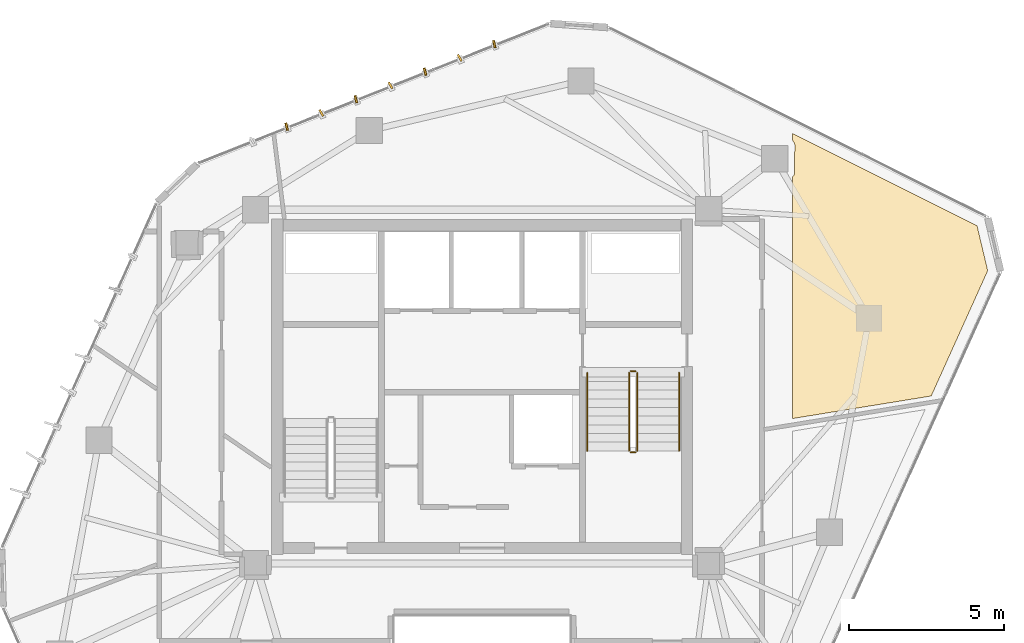
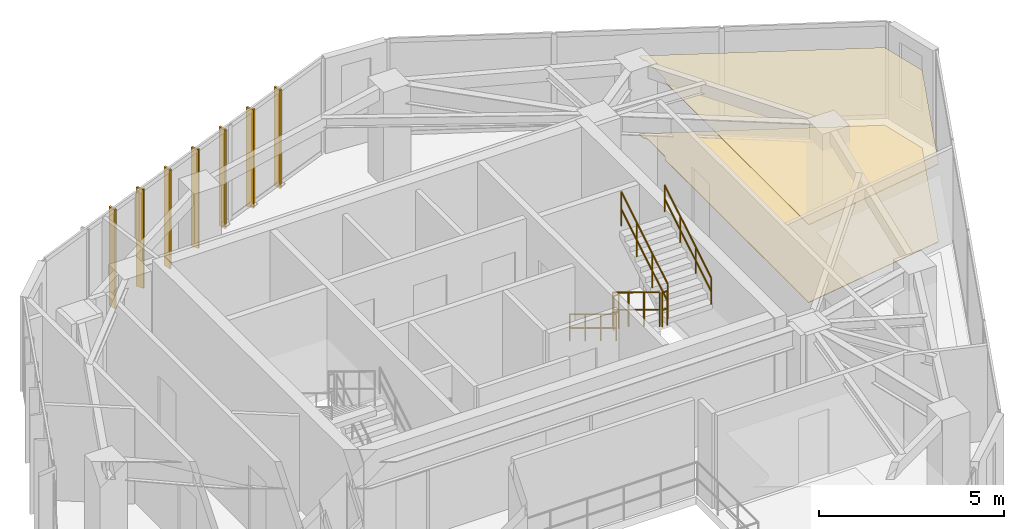
# One storey, part 20 of 20: 7 shading devices, 6 railings, 2 coverings.
"""IFC4 building model written with IfcOpenShell, lengths in metres."""

import ifcopenshell
import ifcopenshell.guid

model = None  # the IFC model being written
_history = None  # IfcOwnerHistory: only IFC2X3 demands one
_inside = {}  # id of a spatial element -> (the spatial element, [elements in it])
_under = {}  # id of a project, library or spatial element -> (it, [spatial elements below it])
_declared = {}  # id of a project -> (the project, [libraries it declares])
_typed = {}  # id of a type object -> (the type object, [elements of that type])
_made_of = {}  # id of a material, layer set ... -> (it, [elements and type objects made of it])


def new_model(schema):
    """Start an empty IFC model of exactly this schema.

    Asked for "IFC4X3", IfcOpenShell would pick the latest addendum, in which some entities
    have other attributes; the version numbers below select the first issue.
    IFC2X3 requires an IfcOwnerHistory on every rooted entity: one is made here for all.
    """
    global model, _history
    if schema == "IFC4X3":
        model = ifcopenshell.file(schema_version=(4, 3, 0, 0))
    else:
        model = ifcopenshell.file(schema=schema)
    _inside.clear()
    _under.clear()
    _declared.clear()
    _typed.clear()
    _made_of.clear()
    _history = None
    if model.schema == "IFC2X3":
        org = make("IfcOrganization", Name="unknown")
        user = make(
            "IfcPersonAndOrganization",
            ThePerson=make("IfcPerson", FamilyName="unknown"),
            TheOrganization=org,
        )
        app = make(
            "IfcApplication",
            ApplicationDeveloper=org,
            Version="unknown",
            ApplicationFullName="unknown",
            ApplicationIdentifier="unknown",
        )
        _history = make(
            "IfcOwnerHistory",
            OwningUser=user,
            OwningApplication=app,
            ChangeAction="ADDED",
            CreationDate=0,
        )
    return model


def make(cls, **values):
    """One entity of the class cls with the attributes given. An attribute that is None is left unset."""
    return model.create_entity(
        cls, **{name: value for name, value in values.items() if value is not None}
    )


def rooted(cls, **values):
    """An entity with a GlobalId (a new one), such as an element, a storey or a relation."""
    return make(cls, GlobalId=ifcopenshell.guid.new(), OwnerHistory=_history, **values)


def si_unit(unit_type, name, prefix=None):
    """IfcSIUnit, for example si_unit("LENGTHUNIT", "METRE", prefix="MILLI")."""
    return make("IfcSIUnit", UnitType=unit_type, Prefix=prefix, Name=name)


def assignment(units):
    """IfcUnitAssignment: the units of a project."""
    return None if units is None else make("IfcUnitAssignment", Units=units)


def point(xyz):
    """IfcCartesianPoint."""
    return None if xyz is None else make("IfcCartesianPoint", Coordinates=xyz)


def direction(xyz):
    """IfcDirection."""
    return None if xyz is None else make("IfcDirection", DirectionRatios=xyz)


def frame(location, z_axis=None, x_axis=None):
    """IfcAxis2Placement3D, a coordinate frame: its origin and axes. An axis left out is left unset."""
    return make(
        "IfcAxis2Placement3D",
        Location=point(location),
        Axis=direction(z_axis),
        RefDirection=direction(x_axis),
    )


def frame_2d(location, x_axis=None):
    """IfcAxis2Placement2D, a coordinate frame in the plane: its origin and x axis."""
    return make(
        "IfcAxis2Placement2D", Location=point(location), RefDirection=direction(x_axis)
    )


def origin():
    """The frame at (0, 0, 0) with its axes left unset."""
    return frame((0.0, 0.0, 0.0))


def origin_2d():
    """The frame at (0, 0) in the plane with its x axis left unset."""
    return frame_2d((0.0, 0.0))


def place(relative_to, where):
    """IfcLocalPlacement: puts the frame where relative to a parent placement (None: the world)."""
    return make(
        "IfcLocalPlacement", PlacementRelTo=relative_to, RelativePlacement=where
    )


def context(
    kind, dimensions, precision=None, world=None, true_north=None, identifier=None
):
    """IfcGeometricRepresentationContext, for example the 3D "Model" context."""
    return make(
        "IfcGeometricRepresentationContext",
        ContextIdentifier=identifier,
        ContextType=kind,
        CoordinateSpaceDimension=dimensions,
        Precision=precision,
        WorldCoordinateSystem=world,
        TrueNorth=true_north,
    )


def subcontext(parent, identifier, kind, view, scale=None):
    """IfcGeometricRepresentationSubContext, for example "Body" below "Model"."""
    return make(
        "IfcGeometricRepresentationSubContext",
        ContextIdentifier=identifier,
        ContextType=kind,
        ParentContext=parent,
        TargetScale=scale,
        TargetView=view,
    )


def project(units=None, contexts=None):
    """IfcProject with its units and contexts."""
    return rooted(
        "IfcProject",
        Name="project",
        RepresentationContexts=contexts,
        UnitsInContext=assignment(units),
    )


def spatial(cls, under=None, at=None, **own):
    """A site, building, storey or space (cls), placed at a placement, below another one or the project."""
    s = rooted(cls, ObjectPlacement=at, **own)
    if under is not None:
        _under.setdefault(under.id(), (under, []))[1].append(s)
    return s


def polyline(points):
    """IfcPolyline through the points."""
    return make("IfcPolyline", Points=[point(p) for p in points])


def profile(cls, at=None, kind="AREA", **sizes):
    """A parametric profile (cls). Its sizes go by their IFC names, for example OverallWidth=200.0."""
    return make(cls, ProfileType=kind, Position=at, **sizes)


def rectangle(**sizes):
    """IfcRectangleProfileDef."""
    return profile("IfcRectangleProfileDef", **sizes)


def circle(**sizes):
    """IfcCircleProfileDef."""
    return profile("IfcCircleProfileDef", **sizes)


def outline(outer, holes=None, kind="AREA"):
    """IfcArbitraryClosedProfileDef: a profile drawn as a closed curve; with holes, ...WithVoids."""
    if holes is None:
        return make("IfcArbitraryClosedProfileDef", ProfileType=kind, OuterCurve=outer)
    return make(
        "IfcArbitraryProfileDefWithVoids",
        ProfileType=kind,
        OuterCurve=outer,
        InnerCurves=holes,
    )


def extrude(swept, where, along, depth):
    """IfcExtrudedAreaSolid: the profile swept, set in the frame where, extruded along a direction by depth."""
    return make(
        "IfcExtrudedAreaSolid",
        SweptArea=swept,
        Position=where,
        ExtrudedDirection=direction(along),
        Depth=depth,
    )


def shape(context_of_items, identifier, shape_type, items):
    """IfcShapeRepresentation: the items that make up one representation, for example the "Body"."""
    return make(
        "IfcShapeRepresentation",
        ContextOfItems=context_of_items,
        RepresentationIdentifier=identifier,
        RepresentationType=shape_type,
        Items=items,
    )


def source(mapping_origin, context_of_items, identifier, shape_type, items):
    """IfcRepresentationMap: a shape defined once, which mapped items show again and again."""
    return make(
        "IfcRepresentationMap",
        MappingOrigin=mapping_origin,
        MappedRepresentation=shape(context_of_items, identifier, shape_type, items),
    )


def transform(
    local_origin,
    x_axis=None,
    y_axis=None,
    z_axis=None,
    scale=None,
    scale2=None,
    scale3=None,
    uniform=True,
):
    """IfcCartesianTransformationOperator3D, or its non-uniform kind. x_axis, y_axis, z_axis: its Axis1, 2, 3."""
    if uniform:
        return make(
            "IfcCartesianTransformationOperator3D",
            Axis1=direction(x_axis),
            Axis2=direction(y_axis),
            LocalOrigin=point(local_origin),
            Scale=scale,
            Axis3=direction(z_axis),
        )
    return make(
        "IfcCartesianTransformationOperator3DnonUniform",
        Axis1=direction(x_axis),
        Axis2=direction(y_axis),
        LocalOrigin=point(local_origin),
        Scale=scale,
        Axis3=direction(z_axis),
        Scale2=scale2,
        Scale3=scale3,
    )


def mapped(mapping_source, mapping_target):
    """IfcMappedItem: shows the shape of a source again, moved by a transform."""
    return make(
        "IfcMappedItem", MappingSource=mapping_source, MappingTarget=mapping_target
    )


def material(Name=None, Category=None):
    """IfcMaterial."""
    return make("IfcMaterial", Name=Name, Category=Category)


def layer(
    of_material, thickness, ventilated=None, Name=None, Category=None, Priority=None
):
    """IfcMaterialLayer: one layer of a wall or slab, of a material (None: an air gap)."""
    return make(
        "IfcMaterialLayer",
        Material=of_material,
        LayerThickness=thickness,
        IsVentilated=ventilated,
        Name=Name,
        Category=Category,
        Priority=Priority,
    )


def layer_set(layers, Name=None):
    """IfcMaterialLayerSet."""
    return make("IfcMaterialLayerSet", MaterialLayers=layers, LayerSetName=Name)


def made_of(thing, what):
    """Note that an element or type object is made of a material, layer set ...; save() writes the relation."""
    if what is not None:
        _made_of.setdefault(what.id(), (what, []))[1].append(thing)
    return thing


def type_object(cls, material=None, **own):
    """A type object (cls), such as IfcWallType, which elements share."""
    return made_of(rooted(cls, **own), material)


def type_shapes(of_type, sources):
    """Give a type object the sources (RepresentationMaps) that its elements show as mapped items."""
    of_type.RepresentationMaps = sources


def element(
    cls,
    number,
    at=None,
    inside=None,
    cuts=None,
    type_object=None,
    material=None,
    context=None,
    identifier="Body",
    shape_type=None,
    held_by="IfcProductDefinitionShape",
    body=None,
    shapes=None,
    **own,
):
    """One element of the class cls, such as IfcWall. Its Tag is "e" and its number.

    at: its placement. inside: the storey or other place that contains it. cuts: it is an
    opening in that element (IfcRelVoidsElement). A single representation is given by context,
    identifier, shape_type and body (its items); several are given by shapes. held_by: the class
    of the entity that holds the representations. save() writes the other relations.
    """
    e = rooted(cls, Tag="e%d" % number, ObjectPlacement=at, **own)
    if body is not None:
        shapes = [shape(context, identifier, shape_type, body)]
    if shapes is not None:
        e.Representation = make(held_by, Representations=shapes)
    if inside is not None:
        _inside.setdefault(inside.id(), (inside, []))[1].append(e)
    if cuts is not None:
        rooted(
            "IfcRelVoidsElement", RelatingBuildingElement=cuts, RelatedOpeningElement=e
        )
    if type_object is not None:
        _typed.setdefault(type_object.id(), (type_object, []))[1].append(e)
    return made_of(e, material)


def aggregate(whole, parts):
    """IfcRelAggregates: a whole, such as a stair, and the parts it consists of."""
    return rooted("IfcRelAggregates", RelatingObject=whole, RelatedObjects=parts)


def save(model, path):
    """Write the relations noted so far, then the file.

    IfcRelAggregates (storeys below a building ...), IfcRelContainedInSpatialStructure (elements
    in a storey), IfcRelDefinesByType, IfcRelAssociatesMaterial and IfcRelDeclares: one each for
    every whole, place, type object, material and project.
    """
    for whole, parts in _under.values():
        aggregate(whole, parts)
    for where, things in _inside.values():
        rooted(
            "IfcRelContainedInSpatialStructure",
            RelatedElements=things,
            RelatingStructure=where,
        )
    for kind, things in _typed.values():
        rooted("IfcRelDefinesByType", RelatedObjects=things, RelatingType=kind)
    for what, things in _made_of.values():
        rooted("IfcRelAssociatesMaterial", RelatedObjects=things, RelatingMaterial=what)
    for by, libraries in _declared.values():
        rooted("IfcRelDeclares", RelatingContext=by, RelatedDefinitions=libraries)
    model.write(path)


model = new_model("IFC4")

# Units and contexts
model_context = context("Model", 3, precision=1e-05, world=origin(), true_north=direction((0.0, 1.0)))
body_context = subcontext(model_context, "Body", "Model", "MODEL_VIEW")
ifc_project = project(units=[si_unit("LENGTHUNIT", "METRE"), si_unit("AREAUNIT", "SQUARE_METRE"), si_unit("VOLUMEUNIT", "CUBIC_METRE"), si_unit("PLANEANGLEUNIT", "RADIAN"), si_unit("MASSUNIT", "GRAM", prefix="KILO")], contexts=[model_context])

# Site, building, storey
site_placement = place(None, origin())
site = spatial("IfcSite", under=ifc_project, at=site_placement, CompositionType="ELEMENT")
building_placement = place(site_placement, origin())
building = spatial("IfcBuilding", under=site, at=building_placement, Name="Talar Marvaseh", CompositionType="ELEMENT")
storey_placement = place(building_placement, frame((0.0, 0.0, 278.199951171875)))
storey = spatial("IfcBuildingStorey", under=building, at=storey_placement, Name="L74", CompositionType="ELEMENT", Elevation=278.199951171875)

# Railings
ifc_material_1 = material(Name="Stainless Steel Grade 316", Category="steel")
railing_type_1 = type_object("IfcRailingType", Name="Brushed Stainless Wall Pitch Handrail 900", PredefinedType="HANDRAIL", material=ifc_material_1)
railing_1_placement = place(storey_placement, frame((29.389892578125, 31.64990234375, 0.170166015625)))
element("IfcRailing", 1, at=railing_1_placement, inside=storey, type_object=railing_type_1, Name="L74 ST-2 stair handrail 1", PredefinedType="HANDRAIL", context=body_context, shape_type="SweptSolid", body=[
    extrude(circle(Radius=0.02392578125, at=origin_2d()), frame((0.0, 0.0, 0.8759765625), z_axis=(0.0, -0.854821627497, 0.518921945155), x_axis=(1.0, 0.0, 0.0)), (0.0, 0.0, 1.0), 2.947998046875),
    extrude(circle(Radius=0.02392578125, at=origin_2d()), frame((0.0, 0.0, 0.42578125), z_axis=(0.0, -0.854821627497, 0.518921945155), x_axis=(1.0, 0.0, 0.0)), (0.0, 0.0, 1.0), 2.947998046875),
    extrude(circle(Radius=0.02099609375, at=origin_2d()), origin(), (0.0, 0.0, 1.0), 0.851806640625),
    extrude(circle(Radius=0.02099609375, at=origin_2d()), frame((0.0, -0.840087890625, 0.510009765625)), (0.0, 0.0, 1.0), 0.851806640625),
    extrude(circle(Radius=0.02099609375, at=origin_2d()), frame((0.0, -1.679931640625, 1.019775390625)), (0.0, 0.0, 1.0), 0.851806640625),
    extrude(circle(Radius=0.02099609375, at=origin_2d()), frame((0.0, -2.52001953125, 1.52978515625)), (0.0, 0.0, 1.0), 0.851806640625),
])
railing_2_placement = place(storey_placement, frame((32.35009765625, 29.1298828125, 1.8701171875)))
element("IfcRailing", 2, at=railing_2_placement, inside=storey, type_object=railing_type_1, Name="L74 ST-2 stair handrail 2", PredefinedType="HANDRAIL", context=body_context, shape_type="SweptSolid", body=[
    extrude(circle(Radius=0.02392578125, at=origin_2d()), frame((0.0, 0.0, 0.8759765625), z_axis=(0.0, 0.85478489116, 0.518982456201), x_axis=(-1.0, 0.0, 0.0)), (0.0, 0.0, 1.0), 2.9482421875),
    extrude(circle(Radius=0.02392578125, at=origin_2d()), frame((0.0, 0.0, 0.42578125), z_axis=(0.0, 0.85478489116, 0.518982456201), x_axis=(-1.0, 0.0, 0.0)), (0.0, 0.0, 1.0), 2.9482421875),
    extrude(circle(Radius=0.02099609375, at=origin_2d()), origin(), (0.0, 0.0, 1.0), 0.851806640625),
    extrude(circle(Radius=0.02099609375, at=origin_2d()), frame((0.0, 0.840087890625, 0.510009765625)), (0.0, 0.0, 1.0), 0.851806640625),
    extrude(circle(Radius=0.02099609375, at=origin_2d()), frame((0.0, 1.679931640625, 1.02001953125)), (0.0, 0.0, 1.0), 0.851806640625),
    extrude(circle(Radius=0.02099609375, at=origin_2d()), frame((0.0, 2.52001953125, 1.530029296875)), (0.0, 0.0, 1.0), 0.851806640625),
])
railing_type_2 = type_object("IfcRailingType", Name="Painted Steel Core Stair Well Guardrail 1150", PredefinedType="GUARDRAIL", material=ifc_material_1)
railing_3_placement = place(storey_placement, frame((30.739990234375, 31.64990234375, 0.170166015625)))
element("IfcRailing", 3, at=railing_3_placement, inside=storey, type_object=railing_type_2, Name="L74 ST-2 stair guard 1", PredefinedType="GUARDRAIL", context=body_context, shape_type="SweptSolid", body=[
    extrude(circle(Radius=0.02392578125, at=origin_2d()), frame((0.0, 0.0, 1.1259765625), z_axis=(0.0, -0.854821627497, 0.518921945155), x_axis=(1.0, 0.0, 0.0)), (0.0, 0.0, 1.0), 2.947998046875),
    extrude(circle(Radius=0.02392578125, at=origin_2d()), frame((0.0, 0.0, 0.55078125), z_axis=(0.0, -0.854821627497, 0.518921945155), x_axis=(1.0, 0.0, 0.0)), (0.0, 0.0, 1.0), 2.947998046875),
    extrude(circle(Radius=0.02099609375, at=origin_2d()), origin(), (0.0, 0.0, 1.0), 1.101806640625),
    extrude(circle(Radius=0.02099609375, at=origin_2d()), frame((0.0, -0.840087890625, 0.510009765625)), (0.0, 0.0, 1.0), 1.101806640625),
    extrude(circle(Radius=0.02099609375, at=origin_2d()), frame((0.0, -1.679931640625, 1.019775390625)), (0.0, 0.0, 1.0), 1.101806640625),
    extrude(circle(Radius=0.02099609375, at=origin_2d()), frame((0.0, -2.52001953125, 1.52978515625)), (0.0, 0.0, 1.0), 1.101806640625),
])
railing_4_placement = place(storey_placement, frame((30.7900390625, 29.080078125, 1.699951171875)))
element("IfcRailing", 4, at=railing_4_placement, inside=storey, type_object=railing_type_2, Name="L74 ST-2 stair guard 2", PredefinedType="GUARDRAIL", context=body_context, shape_type="SweptSolid", body=[
    extrude(circle(Radius=0.02392578125, at=origin_2d()), frame((0.0, 0.0, 1.1259765625), z_axis=(1.0, 0.0, 0.0), x_axis=(0.0, 1.0, 0.0)), (0.0, 0.0, 1.0), 0.159912109375),
    extrude(circle(Radius=0.02392578125, at=origin_2d()), frame((0.0, 0.0, 0.55078125), z_axis=(1.0, 0.0, 0.0), x_axis=(0.0, 1.0, 0.0)), (0.0, 0.0, 1.0), 0.159912109375),
    extrude(circle(Radius=0.02099609375, at=origin_2d()), origin(), (0.0, 0.0, 1.0), 1.101806640625),
    extrude(circle(Radius=0.02099609375, at=origin_2d()), frame((0.159912109375, 0.0, 0.0)), (0.0, 0.0, 1.0), 1.101806640625),
])
railing_5_placement = place(storey_placement, frame((31.0, 29.1298828125, 1.8701171875)))
element("IfcRailing", 5, at=railing_5_placement, inside=storey, type_object=railing_type_2, Name="L74 ST-2 stair guard 3", PredefinedType="GUARDRAIL", context=body_context, shape_type="SweptSolid", body=[
    extrude(circle(Radius=0.02392578125, at=origin_2d()), frame((0.0, 0.0, 1.1259765625), z_axis=(0.0, 0.85478489116, 0.518982456201), x_axis=(-1.0, 0.0, 0.0)), (0.0, 0.0, 1.0), 2.9482421875),
    extrude(circle(Radius=0.02392578125, at=origin_2d()), frame((0.0, 0.0, 0.55078125), z_axis=(0.0, 0.85478489116, 0.518982456201), x_axis=(-1.0, 0.0, 0.0)), (0.0, 0.0, 1.0), 2.9482421875),
    extrude(circle(Radius=0.02099609375, at=origin_2d()), origin(), (0.0, 0.0, 1.0), 1.101806640625),
    extrude(circle(Radius=0.02099609375, at=origin_2d()), frame((0.0, 0.840087890625, 0.510009765625)), (0.0, 0.0, 1.0), 1.101806640625),
    extrude(circle(Radius=0.02099609375, at=origin_2d()), frame((0.0, 1.679931640625, 1.02001953125)), (0.0, 0.0, 1.0), 1.101806640625),
    extrude(circle(Radius=0.02099609375, at=origin_2d()), frame((0.0, 2.52001953125, 1.530029296875)), (0.0, 0.0, 1.0), 1.101806640625),
])
railing_6_placement = place(storey_placement, frame((30.7900390625, 31.699951171875, 0.0)))
element("IfcRailing", 6, at=railing_6_placement, inside=storey, type_object=railing_type_2, Name="L74 ST-2 stair guard 4", PredefinedType="GUARDRAIL", context=body_context, shape_type="SweptSolid", body=[
    extrude(circle(Radius=0.02392578125, at=origin_2d()), frame((0.0, 0.0, 1.1259765625), z_axis=(1.0, 0.0, 0.0), x_axis=(0.0, 1.0, 0.0)), (0.0, 0.0, 1.0), 0.159912109375),
    extrude(circle(Radius=0.02392578125, at=origin_2d()), frame((0.0, 0.0, 0.55078125), z_axis=(1.0, 0.0, 0.0), x_axis=(0.0, 1.0, 0.0)), (0.0, 0.0, 1.0), 0.159912109375),
    extrude(circle(Radius=0.02099609375, at=origin_2d()), origin(), (0.0, 0.0, 1.0), 1.101806640625),
    extrude(circle(Radius=0.02099609375, at=origin_2d()), frame((0.159912109375, 0.0, 0.0)), (0.0, 0.0, 1.0), 1.101806640625),
])

# Coverings
ifc_material_2 = material(Name="Mineral Fibre Acoustic Ceiling")
ifc_layer_1 = layer(ifc_material_2, 0.02490234375)
ifc_layer_set_1 = layer_set([ifc_layer_1], Name="Mineral Fibre Acoustic Ceiling")
covering_type_1 = type_object("IfcCoveringType", Name="Perforated Mineral Fibre Acoustic Suspended Ceiling", PredefinedType="CEILING", material=ifc_layer_set_1)
covering_1_placement = place(storey_placement, frame((0.0, 0.0, 2.56005859375)))
element("IfcCovering", 7, at=covering_1_placement, inside=storey, type_object=covering_type_1, Name="L74 Scholars' Servery Pantry Acoustic Ceiling", PredefinedType="CEILING", context=body_context, shape_type="SweptSolid", body=[
    extrude(outline(polyline([(42.294677734375, 34.93798828125), (40.474853515625, 30.89990234375), (36.0, 30.1728515625), (36.0, 37.96044921875), (36.0, 37.96044921875), (36.0146484375, 37.9736328125), (36.02783203125, 37.988037109375), (36.03955078125, 38.00390625), (36.0498046875, 38.0205078125), (36.05810546875, 38.0380859375), (36.064697265625, 38.056640625), (36.069580078125, 38.075439453125), (36.072509765625, 38.094970703125), (36.073486328125, 38.114501953125), (36.077880859375, 38.9765625), (36.0771484375, 38.9951171875), (36.07470703125, 39.013671875), (36.0703125, 39.03173828125), (36.064453125, 39.049560546875), (36.056884765625, 39.066650390625), (36.0478515625, 39.0830078125), (36.037353515625, 39.09814453125), (36.025390625, 39.112548828125), (36.01220703125, 39.125732421875), (36.0, 39.13671875), (36.0, 39.362060546875), (41.95263671875, 36.381591796875), (42.294677734375, 34.93798828125)])), origin(), (0.0, 0.0, 1.0), 0.02490234375),
])
ifc_material_3 = material(Name="Porcelain Stoneware Tile", Category="masonry")
ifc_layer_2 = layer(ifc_material_3, 0.02001953125)
ifc_layer_set_2 = layer_set([ifc_layer_2], Name="Porcelain Stoneware Tile")
covering_type_2 = type_object("IfcCoveringType", Name="Polished Porcelain Stoneware Gallery Flooring", PredefinedType="FLOORING", material=ifc_layer_set_2)
covering_2_placement = place(storey_placement, origin())
element("IfcCovering", 8, at=covering_2_placement, inside=storey, type_object=covering_type_2, Name="L74 Scholars' Servery Pantry Flooring", PredefinedType="FLOORING", context=body_context, shape_type="SweptSolid", body=[
    extrude(outline(polyline([(42.294677734375, 34.93798828125), (40.474853515625, 30.89990234375), (36.0, 30.1728515625), (36.0, 37.96044921875), (36.0, 37.96044921875), (36.0146484375, 37.9736328125), (36.02783203125, 37.988037109375), (36.03955078125, 38.00390625), (36.0498046875, 38.0205078125), (36.05810546875, 38.0380859375), (36.064697265625, 38.056640625), (36.069580078125, 38.075439453125), (36.072509765625, 38.094970703125), (36.073486328125, 38.114501953125), (36.077880859375, 38.9765625), (36.0771484375, 38.9951171875), (36.07470703125, 39.013671875), (36.0703125, 39.03173828125), (36.064453125, 39.049560546875), (36.056884765625, 39.066650390625), (36.0478515625, 39.0830078125), (36.037353515625, 39.09814453125), (36.025390625, 39.112548828125), (36.01220703125, 39.125732421875), (36.0, 39.13671875), (36.0, 39.362060546875), (41.95263671875, 36.381591796875), (42.294677734375, 34.93798828125)])), origin(), (0.0, 0.0, 1.0), 0.02001953125),
])

# Shading devices
ifc_material_4 = material(Name="Anodised Champagne Bronze Aluminium", Category="aluminium")
ifc_layer_3 = layer(ifc_material_4, 0.06494140625)
ifc_layer_set_3 = layer_set([ifc_layer_3], Name="Anodised Champagne Bronze Aluminium")
shading_device_type = type_object("IfcShadingDeviceType", Name="Sawtooth Champagne Bronze Vertical Fin 240", PredefinedType="USERDEFINED", material=ifc_layer_set_3)
shared_shape = source(origin(), body_context, "Body", "SweptSolid", [
    extrude(rectangle(XDim=0.239990234375, YDim=0.06494140625, at=origin_2d()), origin(), (0.0, 0.0, 1.0), 3.260009765625),
])
type_shapes(shading_device_type, [shared_shape])
for number, where, z_axis, x_axis, name in (
    (9, (19.705078125, 39.578857421875, -0.1201171875), (0.0, 0.0, 1.0), (-0.236498997024, 0.971631732915, 0.0), "L74 Sawtooth Vertical Solar Fin"),
    (10, (20.8203125, 40.022216796875, -0.1201171875), (0.0, 0.0, 1.0), (-0.495155428655, 0.868804409216, 0.0), "L74 Sawtooth Vertical Solar Fin"),
    (11, (21.935302734375, 40.465576171875, -0.1201171875), (0.0, 0.0, 1.0), (-0.236498997024, 0.971631732915, 0.0), "L74 Sawtooth Vertical Solar Fin"),
    (12, (23.05029296875, 40.90869140625, -0.1201171875), (0.0, 0.0, 1.0), (-0.495155428655, 0.868804409216, 0.0), "L74 Sawtooth Vertical Solar Fin"),
    (13, (24.16552734375, 41.35205078125, -0.1201171875), (0.0, 0.0, 1.0), (-0.236498997024, 0.971631732915, 0.0), "L74 Sawtooth Vertical Solar Fin"),
    (14, (25.280517578125, 41.79541015625, -0.1201171875), (0.0, 0.0, 1.0), (-0.495155428655, 0.868804409216, 0.0), "L74 Sawtooth Vertical Solar Fin"),
    (15, (26.395751953125, 42.23876953125, -0.1201171875), (0.0, 0.0, 1.0), (-0.236498997024, 0.971631732915, 0.0), "L74 Sawtooth Vertical Solar Fin"),
):
    element("IfcShadingDevice", number, at=place(storey_placement, frame(where, z_axis=z_axis, x_axis=x_axis)), inside=storey, type_object=shading_device_type, Name=name, ObjectType="FIN", PredefinedType="USERDEFINED", context=body_context, shape_type="MappedRepresentation", body=[
        mapped(shared_shape, transform((0.0, 0.0, 0.0), x_axis=(1.0, 0.0, 0.0), y_axis=(0.0, 1.0, 0.0), z_axis=(0.0, 0.0, 1.0), scale=1.0)),
    ])

save(model, "model.ifc")
